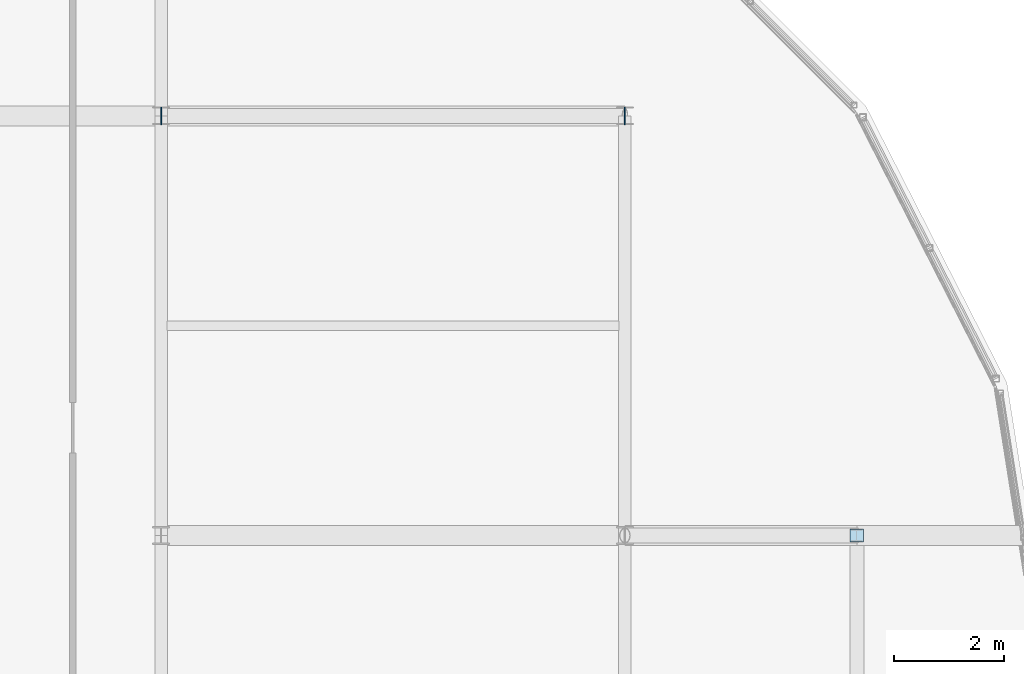
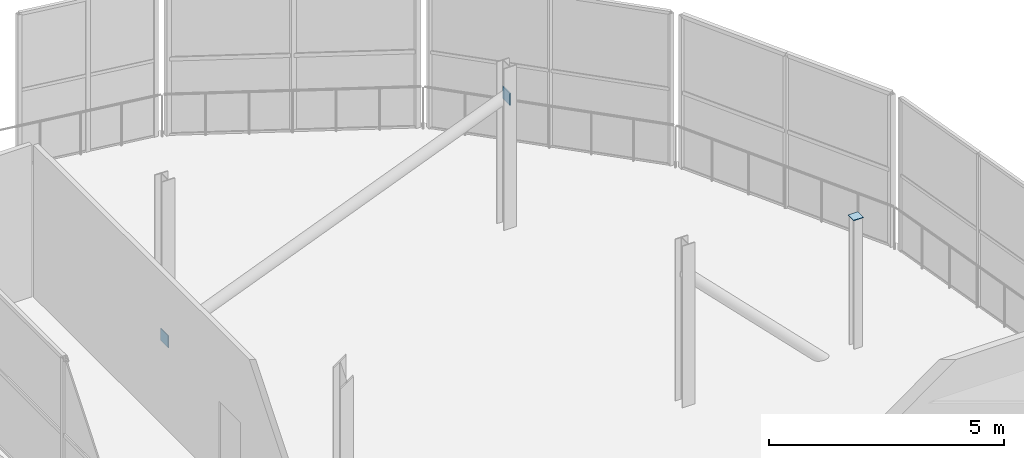
# One storey, part 125 of 151: 3 plates.
"""IFC4 building model written with IfcOpenShell, lengths in metres."""

from ifc_helpers import new_model, si_unit, direction, frame, origin, origin_2d, place, context, subcontext, project, spatial, rectangle, extrude, material, layer, layer_set, type_object, element, save


model = new_model("IFC4")

# Units and contexts
model_context = context("Model", 3, precision=1e-05, world=origin(), true_north=direction((0.0, 1.0)))
body_context = subcontext(model_context, "Body", "Model", "MODEL_VIEW")
ifc_project = project(units=[si_unit("LENGTHUNIT", "METRE"), si_unit("AREAUNIT", "SQUARE_METRE"), si_unit("VOLUMEUNIT", "CUBIC_METRE"), si_unit("PLANEANGLEUNIT", "RADIAN"), si_unit("MASSUNIT", "GRAM", prefix="KILO")], contexts=[model_context])

# Site, building, storey
site_placement = place(None, origin())
site = spatial("IfcSite", under=ifc_project, at=site_placement, CompositionType="ELEMENT")
building_placement = place(site_placement, origin())
building = spatial("IfcBuilding", under=site, at=building_placement, Name="Zuvorla Pavilion Media Centre", CompositionType="ELEMENT")
storey_placement = place(building_placement, frame((0.0, 0.0, 13.800048828125)))
storey = spatial("IfcBuildingStorey", under=building, at=storey_placement, Name="L03", CompositionType="ELEMENT", Elevation=13.800048828125)

# Plates
ifc_material = material(Name="Steel S355", Category="steel")
ifc_layer_1 = layer(ifc_material, 0.01611328125)
ifc_layer_set_1 = layer_set([ifc_layer_1], Name="Steel S355")
plate_type_1 = type_object("IfcPlateType", Name="PLT-CAP-16", PredefinedType="USERDEFINED", material=ifc_layer_set_1)
plate_placement = place(storey_placement, frame((171.800048828125, 74.39990234375, 3.351806640625), z_axis=(0.0, 0.0, 1.0), x_axis=(1.0, 0.0, 0.0)))
element("IfcPlate", 1, at=plate_placement, inside=storey, type_object=plate_type_1, Name="L03 cap plate CP16 200", ObjectType="CAP_PLATE", PredefinedType="USERDEFINED", context=body_context, shape_type="SweptSolid", body=[
    extrude(rectangle(XDim=0.239990234375, YDim=0.239990234375, at=origin_2d()), origin(), (0.0, 0.0, 1.0), 0.01611328125),
])
ifc_layer_2 = layer(ifc_material, 0.02001953125)
ifc_layer_set_2 = layer_set([ifc_layer_2], Name="Steel S355")
plate_type_2 = type_object("IfcPlateType", Name="PLT-GUS-20", PredefinedType="USERDEFINED", material=ifc_layer_set_2)
for number, where, z_axis, x_axis, name in (
    (2, (159.199951171875, 82.0, -0.16015625), (0.0, 0.0, 1.0), (1.0, 0.0, 0.0), "L03 gusset plate GP20 215"),
    (3, (167.60009765625, 82.0, 3.19970703125), (0.0, 0.0, 1.0), (1.0, 0.0, 0.0), "L03 gusset plate GP20 216"),
):
    element("IfcPlate", number, at=place(storey_placement, frame(where, z_axis=z_axis, x_axis=x_axis)), inside=storey, type_object=plate_type_2, Name=name, ObjectType="GUSSET_PLATE", PredefinedType="USERDEFINED", context=body_context, shape_type="SweptSolid", body=[
        extrude(rectangle(XDim=0.02001953125, YDim=0.320068359375, at=origin_2d()), origin(), (0.0, 0.0, 1.0), 0.320068359375),
    ])

save(model, "model.ifc")
